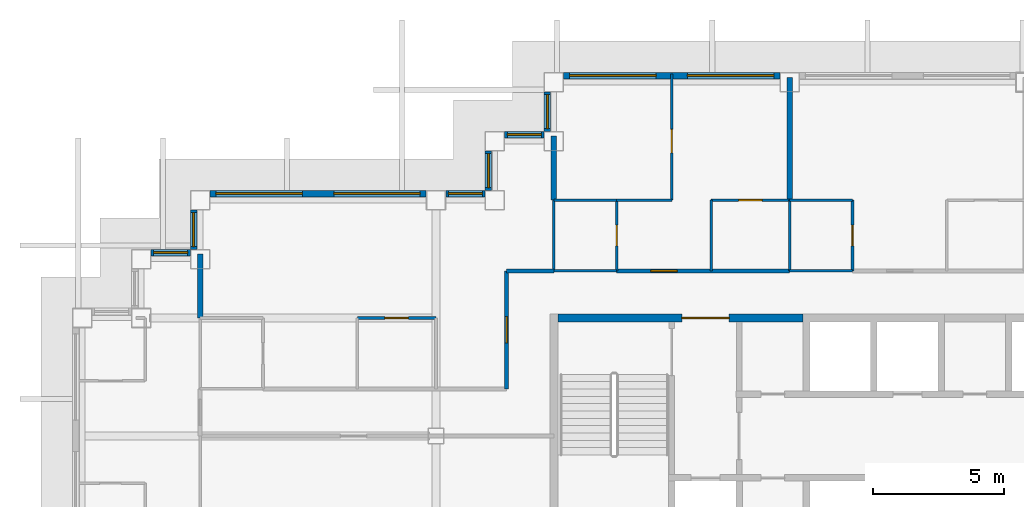
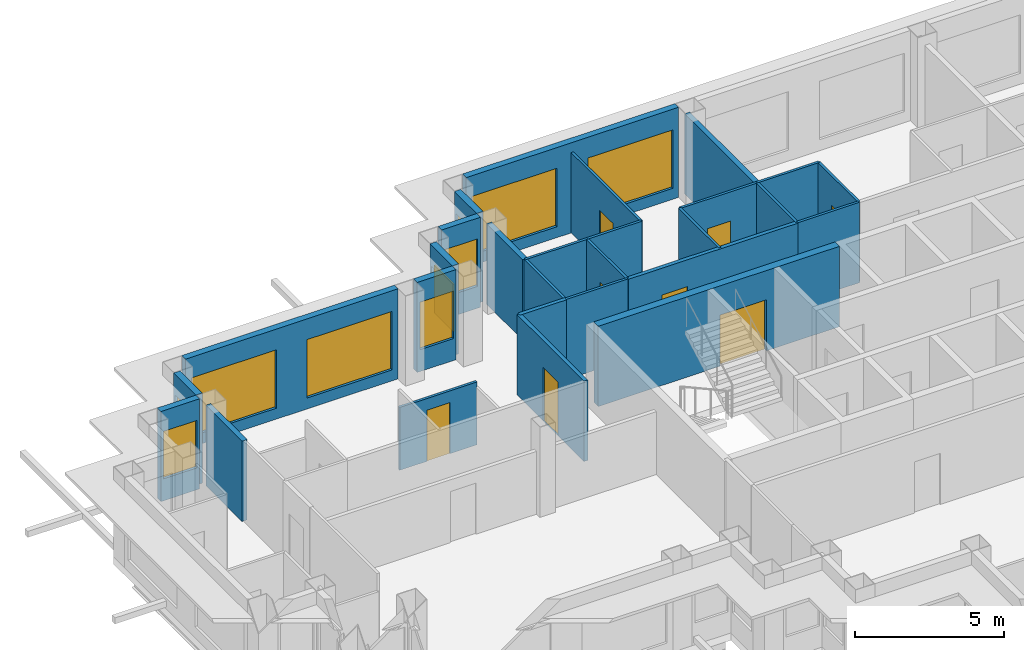
# One storey, part 7 of 14: 28 walls, 10 windows, 8 doors, 18 openings.
"""IFC4 building model written with IfcOpenShell, lengths in metres."""

import ifcopenshell
import ifcopenshell.guid

model = None  # the IFC model being written
_history = None  # IfcOwnerHistory: only IFC2X3 demands one
_inside = {}  # id of a spatial element -> (the spatial element, [elements in it])
_under = {}  # id of a project, library or spatial element -> (it, [spatial elements below it])
_declared = {}  # id of a project -> (the project, [libraries it declares])
_typed = {}  # id of a type object -> (the type object, [elements of that type])
_made_of = {}  # id of a material, layer set ... -> (it, [elements and type objects made of it])


def new_model(schema):
    """Start an empty IFC model of exactly this schema.

    Asked for "IFC4X3", IfcOpenShell would pick the latest addendum, in which some entities
    have other attributes; the version numbers below select the first issue.
    IFC2X3 requires an IfcOwnerHistory on every rooted entity: one is made here for all.
    """
    global model, _history
    if schema == "IFC4X3":
        model = ifcopenshell.file(schema_version=(4, 3, 0, 0))
    else:
        model = ifcopenshell.file(schema=schema)
    _inside.clear()
    _under.clear()
    _declared.clear()
    _typed.clear()
    _made_of.clear()
    _history = None
    if model.schema == "IFC2X3":
        org = make("IfcOrganization", Name="unknown")
        user = make(
            "IfcPersonAndOrganization",
            ThePerson=make("IfcPerson", FamilyName="unknown"),
            TheOrganization=org,
        )
        app = make(
            "IfcApplication",
            ApplicationDeveloper=org,
            Version="unknown",
            ApplicationFullName="unknown",
            ApplicationIdentifier="unknown",
        )
        _history = make(
            "IfcOwnerHistory",
            OwningUser=user,
            OwningApplication=app,
            ChangeAction="ADDED",
            CreationDate=0,
        )
    return model


def make(cls, **values):
    """One entity of the class cls with the attributes given. An attribute that is None is left unset."""
    return model.create_entity(
        cls, **{name: value for name, value in values.items() if value is not None}
    )


def rooted(cls, **values):
    """An entity with a GlobalId (a new one), such as an element, a storey or a relation."""
    return make(cls, GlobalId=ifcopenshell.guid.new(), OwnerHistory=_history, **values)


def si_unit(unit_type, name, prefix=None):
    """IfcSIUnit, for example si_unit("LENGTHUNIT", "METRE", prefix="MILLI")."""
    return make("IfcSIUnit", UnitType=unit_type, Prefix=prefix, Name=name)


def assignment(units):
    """IfcUnitAssignment: the units of a project."""
    return None if units is None else make("IfcUnitAssignment", Units=units)


def point(xyz):
    """IfcCartesianPoint."""
    return None if xyz is None else make("IfcCartesianPoint", Coordinates=xyz)


def direction(xyz):
    """IfcDirection."""
    return None if xyz is None else make("IfcDirection", DirectionRatios=xyz)


def frame(location, z_axis=None, x_axis=None):
    """IfcAxis2Placement3D, a coordinate frame: its origin and axes. An axis left out is left unset."""
    return make(
        "IfcAxis2Placement3D",
        Location=point(location),
        Axis=direction(z_axis),
        RefDirection=direction(x_axis),
    )


def frame_2d(location, x_axis=None):
    """IfcAxis2Placement2D, a coordinate frame in the plane: its origin and x axis."""
    return make(
        "IfcAxis2Placement2D", Location=point(location), RefDirection=direction(x_axis)
    )


def origin():
    """The frame at (0, 0, 0) with its axes left unset."""
    return frame((0.0, 0.0, 0.0))


def place(relative_to, where):
    """IfcLocalPlacement: puts the frame where relative to a parent placement (None: the world)."""
    return make(
        "IfcLocalPlacement", PlacementRelTo=relative_to, RelativePlacement=where
    )


def context(
    kind, dimensions, precision=None, world=None, true_north=None, identifier=None
):
    """IfcGeometricRepresentationContext, for example the 3D "Model" context."""
    return make(
        "IfcGeometricRepresentationContext",
        ContextIdentifier=identifier,
        ContextType=kind,
        CoordinateSpaceDimension=dimensions,
        Precision=precision,
        WorldCoordinateSystem=world,
        TrueNorth=true_north,
    )


def subcontext(parent, identifier, kind, view, scale=None):
    """IfcGeometricRepresentationSubContext, for example "Body" below "Model"."""
    return make(
        "IfcGeometricRepresentationSubContext",
        ContextIdentifier=identifier,
        ContextType=kind,
        ParentContext=parent,
        TargetScale=scale,
        TargetView=view,
    )


def project(units=None, contexts=None):
    """IfcProject with its units and contexts."""
    return rooted(
        "IfcProject",
        Name="project",
        RepresentationContexts=contexts,
        UnitsInContext=assignment(units),
    )


def spatial(cls, under=None, at=None, **own):
    """A site, building, storey or space (cls), placed at a placement, below another one or the project."""
    s = rooted(cls, ObjectPlacement=at, **own)
    if under is not None:
        _under.setdefault(under.id(), (under, []))[1].append(s)
    return s


def profile(cls, at=None, kind="AREA", **sizes):
    """A parametric profile (cls). Its sizes go by their IFC names, for example OverallWidth=200.0."""
    return make(cls, ProfileType=kind, Position=at, **sizes)


def rectangle(**sizes):
    """IfcRectangleProfileDef."""
    return profile("IfcRectangleProfileDef", **sizes)


def extrude(swept, where, along, depth):
    """IfcExtrudedAreaSolid: the profile swept, set in the frame where, extruded along a direction by depth."""
    return make(
        "IfcExtrudedAreaSolid",
        SweptArea=swept,
        Position=where,
        ExtrudedDirection=direction(along),
        Depth=depth,
    )


def shape(context_of_items, identifier, shape_type, items):
    """IfcShapeRepresentation: the items that make up one representation, for example the "Body"."""
    return make(
        "IfcShapeRepresentation",
        ContextOfItems=context_of_items,
        RepresentationIdentifier=identifier,
        RepresentationType=shape_type,
        Items=items,
    )


def material(Name=None, Category=None):
    """IfcMaterial."""
    return make("IfcMaterial", Name=Name, Category=Category)


def layer(
    of_material, thickness, ventilated=None, Name=None, Category=None, Priority=None
):
    """IfcMaterialLayer: one layer of a wall or slab, of a material (None: an air gap)."""
    return make(
        "IfcMaterialLayer",
        Material=of_material,
        LayerThickness=thickness,
        IsVentilated=ventilated,
        Name=Name,
        Category=Category,
        Priority=Priority,
    )


def layer_set(layers, Name=None):
    """IfcMaterialLayerSet."""
    return make("IfcMaterialLayerSet", MaterialLayers=layers, LayerSetName=Name)


def made_of(thing, what):
    """Note that an element or type object is made of a material, layer set ...; save() writes the relation."""
    if what is not None:
        _made_of.setdefault(what.id(), (what, []))[1].append(thing)
    return thing


def type_object(cls, material=None, **own):
    """A type object (cls), such as IfcWallType, which elements share."""
    return made_of(rooted(cls, **own), material)


def element(
    cls,
    number,
    at=None,
    inside=None,
    cuts=None,
    type_object=None,
    material=None,
    context=None,
    identifier="Body",
    shape_type=None,
    held_by="IfcProductDefinitionShape",
    body=None,
    shapes=None,
    **own,
):
    """One element of the class cls, such as IfcWall. Its Tag is "e" and its number.

    at: its placement. inside: the storey or other place that contains it. cuts: it is an
    opening in that element (IfcRelVoidsElement). A single representation is given by context,
    identifier, shape_type and body (its items); several are given by shapes. held_by: the class
    of the entity that holds the representations. save() writes the other relations.
    """
    e = rooted(cls, Tag="e%d" % number, ObjectPlacement=at, **own)
    if body is not None:
        shapes = [shape(context, identifier, shape_type, body)]
    if shapes is not None:
        e.Representation = make(held_by, Representations=shapes)
    if inside is not None:
        _inside.setdefault(inside.id(), (inside, []))[1].append(e)
    if cuts is not None:
        rooted(
            "IfcRelVoidsElement", RelatingBuildingElement=cuts, RelatedOpeningElement=e
        )
    if type_object is not None:
        _typed.setdefault(type_object.id(), (type_object, []))[1].append(e)
    return made_of(e, material)


def fill(opening, filler):
    """IfcRelFillsElement: the door or window that sits in an opening."""
    return rooted(
        "IfcRelFillsElement",
        RelatingOpeningElement=opening,
        RelatedBuildingElement=filler,
    )


def aggregate(whole, parts):
    """IfcRelAggregates: a whole, such as a stair, and the parts it consists of."""
    return rooted("IfcRelAggregates", RelatingObject=whole, RelatedObjects=parts)


def save(model, path):
    """Write the relations noted so far, then the file.

    IfcRelAggregates (storeys below a building ...), IfcRelContainedInSpatialStructure (elements
    in a storey), IfcRelDefinesByType, IfcRelAssociatesMaterial and IfcRelDeclares: one each for
    every whole, place, type object, material and project.
    """
    for whole, parts in _under.values():
        aggregate(whole, parts)
    for where, things in _inside.values():
        rooted(
            "IfcRelContainedInSpatialStructure",
            RelatedElements=things,
            RelatingStructure=where,
        )
    for kind, things in _typed.values():
        rooted("IfcRelDefinesByType", RelatedObjects=things, RelatingType=kind)
    for what, things in _made_of.values():
        rooted("IfcRelAssociatesMaterial", RelatedObjects=things, RelatingMaterial=what)
    for by, libraries in _declared.values():
        rooted("IfcRelDeclares", RelatingContext=by, RelatedDefinitions=libraries)
    model.write(path)


model = new_model("IFC4")

# Units and contexts
model_context = context("Model", 3, precision=1e-05, world=origin(), true_north=direction((0.0, 1.0)))
body_context = subcontext(model_context, "Body", "Model", "MODEL_VIEW")
ifc_project = project(units=[si_unit("LENGTHUNIT", "METRE"), si_unit("AREAUNIT", "SQUARE_METRE"), si_unit("VOLUMEUNIT", "CUBIC_METRE"), si_unit("PLANEANGLEUNIT", "RADIAN"), si_unit("MASSUNIT", "GRAM", prefix="KILO")], contexts=[model_context])

# Site, building, storey
site_placement = place(None, origin())
site = spatial("IfcSite", under=ifc_project, at=site_placement, CompositionType="ELEMENT")
building_placement = place(site_placement, origin())
building = spatial("IfcBuilding", under=site, at=building_placement, Name="Caravel Reach Hotel and Residences", CompositionType="ELEMENT")
storey_placement = place(building_placement, frame((0.0, 0.0, 183.89990234375)))
storey = spatial("IfcBuildingStorey", under=building, at=storey_placement, Name="L46", CompositionType="ELEMENT", Elevation=183.89990234375)

# Walls
ifc_material_1 = material(Name="Gypsum board on steel stud", Category="steel")
ifc_layer_1 = layer(ifc_material_1, 0.10009765625)
ifc_layer_set_1 = layer_set([ifc_layer_1], Name="Bathroom pod wall 100 mm")
wall_type_1 = type_object("IfcWallType", Name="Bathroom pod wall 100 mm", PredefinedType="PARTITIONING", material=ifc_layer_set_1)
for number, where, z_axis, x_axis, name in (
    (1, (18.0, 33.300048828125, 0.0), (0.0, 0.0, 1.0), (1.0, 0.0, 0.0), "L46 wall w077"),
    (2, (27.0, 33.300048828125, 0.0), (0.0, 0.0, 1.0), (1.0, 0.0, 0.0), "L46 wall w078"),
    (3, (18.0, 36.0, 0.0), (0.0, 0.0, 1.0), (1.0, 0.0, 0.0), "L46 wall w080"),
    (4, (27.0, 36.0, 0.0), (0.0, 0.0, 1.0), (1.0, 0.0, 0.0), "L46 wall w081"),
):
    element("IfcWall", number, at=place(storey_placement, frame(where, z_axis=z_axis, x_axis=x_axis)), inside=storey, type_object=wall_type_1, Name=name, PredefinedType="PARTITIONING", context=body_context, shape_type="SweptSolid", body=[
        extrude(rectangle(XDim=2.39990234375, YDim=0.10009765625, at=frame_2d((1.199951171875, 0.0))), origin(), (0.0, 0.0, 1.0), 3.300048828125),
    ])
wall_1_placement = place(storey_placement, frame((18.0, 33.301025390625, 0.0), z_axis=(0.0, 0.0, 1.0), x_axis=(0.0, 1.0, 0.0)))
element("IfcWall", 5, at=wall_1_placement, inside=storey, type_object=wall_type_1, Name="L46 wall w085", PredefinedType="PARTITIONING", context=body_context, shape_type="SweptSolid", body=[
    extrude(rectangle(XDim=2.698974609375, YDim=0.10009765625, at=frame_2d((1.349609375, 0.0))), origin(), (0.0, 0.0, 1.0), 3.300048828125),
])

# Wall, opening, door
wall_2_placement = place(storey_placement, frame((20.39990234375, 33.300048828125, 0.0), z_axis=(0.0, 0.0, 1.0), x_axis=(0.0, 1.0, 0.0)))
wall_2 = element("IfcWall", 6, at=wall_2_placement, inside=storey, type_object=wall_type_1, Name="L46 wall w087", PredefinedType="PARTITIONING", context=body_context, shape_type="SweptSolid", body=[
    extrude(rectangle(XDim=2.699951171875, YDim=0.10009765625, at=frame_2d((1.35009765625, 0.0))), origin(), (0.0, 0.0, 1.0), 3.300048828125),
])
opening_1_placement = place(wall_2_placement, frame((0.949951171875, 0.0, 0.0)))
opening_1 = element("IfcOpeningElement", 7, at=opening_1_placement, cuts=wall_2, Name="Opening D46-017", PredefinedType="OPENING", context=body_context, shape_type="SweptSolid", body=[
    extrude(rectangle(XDim=0.800048828125, YDim=2.10009765625, at=frame_2d((0.39990234375, 1.050048828125))), frame((0.0, 0.06005859375, 0.0), z_axis=(0.0, -1.0, 0.0), x_axis=(1.0, 0.0, 0.0)), (0.0, 0.0, 1.0), 0.1201171875),
])
ifc_material_2 = material(Name="Timber and steel door leaf", Category="steel")
door_type_1 = type_object("IfcDoorType", Name="Bathroom door 800 x 2100", OperationType="SINGLE_SWING_LEFT", PredefinedType="DOOR", material=ifc_material_2)
door_1_placement = place(opening_1_placement, origin())
door_1 = element("IfcDoor", 8, at=door_1_placement, inside=storey, type_object=door_type_1, Name="door D46-017", OperationType="SINGLE_SWING_RIGHT", OverallHeight=2.10009765625, OverallWidth=0.800048828125, PredefinedType="DOOR", context=body_context, shape_type="SweptSolid", body=[
    extrude(rectangle(XDim=0.800048828125, YDim=2.10009765625, at=frame_2d((0.39990234375, 1.050048828125))), frame((0.0, 0.02490234375, 0.0), z_axis=(0.0, -1.0, 0.0), x_axis=(1.0, 0.0, 0.0)), (0.0, 0.0, 1.0), 0.050048828125),
])
fill(opening_1, door_1)

# Wall
wall_3_placement = place(storey_placement, frame((27.0, 33.300048828125, 0.0), z_axis=(0.0, 0.0, 1.0), x_axis=(0.0, 1.0, 0.0)))
element("IfcWall", 9, at=wall_3_placement, inside=storey, type_object=wall_type_1, Name="L46 wall w088", PredefinedType="PARTITIONING", context=body_context, shape_type="SweptSolid", body=[
    extrude(rectangle(XDim=2.699951171875, YDim=0.10009765625, at=frame_2d((1.35009765625, 0.0))), origin(), (0.0, 0.0, 1.0), 3.300048828125),
])

# Wall, opening, door
wall_4_placement = place(storey_placement, frame((29.39990234375, 33.300048828125, 0.0), z_axis=(0.0, 0.0, 1.0), x_axis=(0.0, 1.0, 0.0)))
wall_4 = element("IfcWall", 10, at=wall_4_placement, inside=storey, type_object=wall_type_1, Name="L46 wall w089", PredefinedType="PARTITIONING", context=body_context, shape_type="SweptSolid", body=[
    extrude(rectangle(XDim=2.699951171875, YDim=0.10009765625, at=frame_2d((1.35009765625, 0.0))), origin(), (0.0, 0.0, 1.0), 3.300048828125),
])
opening_2_placement = place(wall_4_placement, frame((0.949951171875, 0.0, 0.0)))
opening_2 = element("IfcOpeningElement", 11, at=opening_2_placement, cuts=wall_4, Name="Opening D46-021", PredefinedType="OPENING", context=body_context, shape_type="SweptSolid", body=[
    extrude(rectangle(XDim=0.800048828125, YDim=2.10009765625, at=frame_2d((0.39990234375, 1.050048828125))), frame((0.0, 0.06005859375, 0.0), z_axis=(0.0, -1.0, 0.0), x_axis=(1.0, 0.0, 0.0)), (0.0, 0.0, 1.0), 0.1201171875),
])
door_2_placement = place(opening_2_placement, origin())
door_2 = element("IfcDoor", 12, at=door_2_placement, inside=storey, type_object=door_type_1, Name="door D46-021", OperationType="SINGLE_SWING_LEFT", OverallHeight=2.10009765625, OverallWidth=0.800048828125, PredefinedType="DOOR", context=body_context, shape_type="SweptSolid", body=[
    extrude(rectangle(XDim=0.800048828125, YDim=2.10009765625, at=frame_2d((0.39990234375, 1.050048828125))), frame((0.0, 0.02490234375, 0.0), z_axis=(0.0, -1.0, 0.0), x_axis=(1.0, 0.0, 0.0)), (0.0, 0.0, 1.0), 0.050048828125),
])
fill(opening_2, door_2)

ifc_material_3 = material(Name="Concrete C60", Category="concrete")
ifc_layer_2 = layer(ifc_material_3, 0.300048828125)
ifc_layer_set_2 = layer_set([ifc_layer_2], Name="Core wall 300 mm EI 120")
wall_type_2 = type_object("IfcWallType", Name="Core wall 300 mm EI 120", PredefinedType="SHEAR", material=ifc_layer_set_2)
wall_5_placement = place(storey_placement, frame((18.14990234375, 31.5, 0.0), z_axis=(0.0, 0.0, 1.0), x_axis=(1.0, 0.0, 0.0)))
wall_5 = element("IfcWall", 13, at=wall_5_placement, inside=storey, type_object=wall_type_2, Name="L46 core wall N1", PredefinedType="SHEAR", context=body_context, shape_type="SweptSolid", body=[
    extrude(rectangle(XDim=9.367919921875, YDim=0.300048828125, at=frame_2d((4.68408203125, 0.0))), origin(), (0.0, 0.0, 1.0), 3.300048828125),
])
opening_3_placement = place(wall_5_placement, frame((4.735595703125, 0.0, 0.0)))
opening_3 = element("IfcOpeningElement", 14, at=opening_3_placement, cuts=wall_5, Name="Opening D46-014", PredefinedType="OPENING", context=body_context, shape_type="SweptSolid", body=[
    extrude(rectangle(XDim=1.800048828125, YDim=2.10009765625, at=frame_2d((0.89990234375, 1.050048828125))), frame((0.0, 0.159912109375, 0.0), z_axis=(0.0, -1.0, 0.0), x_axis=(1.0, 0.0, 0.0)), (0.0, 0.0, 1.0), 0.320068359375),
])
ifc_material_4 = material(Name="Steel fire door leaf", Category="steel")
door_type_2 = type_object("IfcDoorType", Name="Fire lobby door pair 1800 x 2100 EI 90", OperationType="DOUBLE_DOOR_SINGLE_SWING", PredefinedType="DOOR", material=ifc_material_4)
door_3_placement = place(opening_3_placement, origin())
door_3 = element("IfcDoor", 15, at=door_3_placement, inside=storey, type_object=door_type_2, Name="lobby N door pair to corridor", OperationType="DOUBLE_DOOR_SINGLE_SWING", OverallHeight=2.10009765625, OverallWidth=1.800048828125, PredefinedType="DOOR", context=body_context, shape_type="SweptSolid", body=[
    extrude(rectangle(XDim=1.800048828125, YDim=2.10009765625, at=frame_2d((0.89990234375, 1.050048828125))), frame((0.0, 0.02490234375, 0.0), z_axis=(0.0, -1.0, 0.0), x_axis=(1.0, 0.0, 0.0)), (0.0, 0.0, 1.0), 0.050048828125),
])
fill(opening_3, door_3)

ifc_material_5 = material(Name="Gypsum board on steel stud, fire-rated", Category="steel")
ifc_layer_3 = layer(ifc_material_5, 0.14990234375)
ifc_layer_set_3 = layer_set([ifc_layer_3], Name="Corridor wall 150 mm EI 60")
wall_type_3 = type_object("IfcWallType", Name="Corridor wall 150 mm EI 60", PredefinedType="PARTITIONING", material=ifc_layer_set_3)
wall_6_placement = place(storey_placement, frame((20.39990234375, 33.300048828125, 0.0), z_axis=(0.0, 0.0, 1.0), x_axis=(1.0, 0.0, 0.0)))
wall_6 = element("IfcWall", 16, at=wall_6_placement, inside=storey, type_object=wall_type_3, Name="L46 wall w013", PredefinedType="PARTITIONING", context=body_context, shape_type="SweptSolid", body=[
    extrude(rectangle(XDim=6.60009765625, YDim=0.14990234375, at=frame_2d((3.300048828125, 0.0))), origin(), (0.0, 0.0, 1.0), 3.300048828125),
])
opening_4_placement = place(wall_6_placement, frame((1.300048828125, 0.0, 0.0)))
opening_4 = element("IfcOpeningElement", 17, at=opening_4_placement, cuts=wall_6, Name="Opening D46-016", PredefinedType="OPENING", context=body_context, shape_type="SweptSolid", body=[
    extrude(rectangle(XDim=1.0, YDim=2.199951171875, at=frame_2d((0.5, 1.10009765625))), frame((0.0, 0.0849609375, 0.0), z_axis=(0.0, -1.0, 0.0), x_axis=(1.0, 0.0, 0.0)), (0.0, 0.0, 1.0), 0.169921875),
])
ifc_material_6 = material(Name="Steel fire door leaf", Category="steel")
door_type_3 = type_object("IfcDoorType", Name="Flat entrance door 1000 x 2200 EI 60", OperationType="SINGLE_SWING_LEFT", PredefinedType="DOOR", material=ifc_material_6)
door_4_placement = place(opening_4_placement, origin())
door_4 = element("IfcDoor", 18, at=door_4_placement, inside=storey, type_object=door_type_3, Name="door D46-016", OperationType="SINGLE_SWING_LEFT", OverallHeight=2.199951171875, OverallWidth=1.0, PredefinedType="DOOR", context=body_context, shape_type="SweptSolid", body=[
    extrude(rectangle(XDim=1.0, YDim=2.199951171875, at=frame_2d((0.5, 1.10009765625))), frame((0.0, 0.02490234375, 0.0), z_axis=(0.0, -1.0, 0.0), x_axis=(1.0, 0.0, 0.0)), (0.0, 0.0, 1.0), 0.050048828125),
])
fill(opening_4, door_4)

# Wall
wall_7_placement = place(storey_placement, frame((16.199951171875, 33.300048828125, 0.0), z_axis=(0.0, 0.0, 1.0), x_axis=(1.0, 0.0, 0.0)))
element("IfcWall", 19, at=wall_7_placement, inside=storey, type_object=wall_type_3, Name="L46 wall w019", PredefinedType="PARTITIONING", context=body_context, shape_type="SweptSolid", body=[
    extrude(rectangle(XDim=1.799072265625, YDim=0.14990234375, at=frame_2d((0.8994140625, 0.0))), origin(), (0.0, 0.0, 1.0), 3.300048828125),
])

# Wall, opening, door
wall_8_placement = place(storey_placement, frame((16.199951171875, 28.801025390625, 0.0), z_axis=(0.0, 0.0, 1.0), x_axis=(0.0, 1.0, 0.0)))
wall_8 = element("IfcWall", 20, at=wall_8_placement, inside=storey, type_object=wall_type_3, Name="L46 wall w021", PredefinedType="PARTITIONING", context=body_context, shape_type="SweptSolid", body=[
    extrude(rectangle(XDim=4.4990234375, YDim=0.14990234375, at=frame_2d((2.24951171875, 0.0))), origin(), (0.0, 0.0, 1.0), 3.300048828125),
])
opening_5_placement = place(wall_8_placement, frame((1.74951171875, 0.0, 0.0)))
opening_5 = element("IfcOpeningElement", 21, at=opening_5_placement, cuts=wall_8, Name="Opening D46-027", PredefinedType="OPENING", context=body_context, shape_type="SweptSolid", body=[
    extrude(rectangle(XDim=1.0, YDim=2.199951171875, at=frame_2d((0.5, 1.10009765625))), frame((0.0, 0.0849609375, 0.0), z_axis=(0.0, -1.0, 0.0), x_axis=(1.0, 0.0, 0.0)), (0.0, 0.0, 1.0), 0.169921875),
])
door_5_placement = place(opening_5_placement, origin())
door_5 = element("IfcDoor", 22, at=door_5_placement, inside=storey, type_object=door_type_3, Name="door D46-027", OperationType="SINGLE_SWING_LEFT", OverallHeight=2.199951171875, OverallWidth=1.0, PredefinedType="DOOR", context=body_context, shape_type="SweptSolid", body=[
    extrude(rectangle(XDim=1.0, YDim=2.199951171875, at=frame_2d((0.5, 1.10009765625))), frame((0.0, 0.02490234375, 0.0), z_axis=(0.0, -1.0, 0.0), x_axis=(1.0, 0.0, 0.0)), (0.0, 0.0, 1.0), 0.050048828125),
])
fill(opening_5, door_5)

# Wall, openings, windows
ifc_material_7 = material(Name="Insulated rainscreen wall, aluminium cladding", Category="aluminium")
ifc_layer_4 = layer(ifc_material_7, 0.25)
ifc_layer_set_4 = layer_set([ifc_layer_4], Name="EW1 Tower rainscreen wall")
wall_type_4 = type_object("IfcWallType", Name="EW1 Tower rainscreen wall", PredefinedType="SOLIDWALL", material=ifc_layer_set_4)
wall_9_placement = place(storey_placement, frame((26.625, 40.75, 0.0), z_axis=(0.0, 0.0, 1.0), x_axis=(-1.0, 0.0, 0.0)))
wall_9 = element("IfcWall", 23, at=wall_9_placement, inside=storey, type_object=wall_type_4, Name="External wall L46 N29.3", PredefinedType="SOLIDWALL", context=body_context, shape_type="SweptSolid", body=[
    extrude(rectangle(XDim=8.25, YDim=0.25, at=frame_2d((4.125, 0.0))), origin(), (0.0, 0.0, 1.0), 3.7001953125),
])
opening_6_placement = place(wall_9_placement, frame((0.22509765625, 0.0, 0.449951171875)))
opening_6 = element("IfcOpeningElement", 24, at=opening_6_placement, cuts=wall_9, Name="Opening WN18", PredefinedType="OPENING", context=body_context, shape_type="SweptSolid", body=[
    extrude(rectangle(XDim=3.300048828125, YDim=2.39990234375, at=frame_2d((1.64990234375, 1.199951171875))), frame((0.0, 0.135009765625, 0.0), z_axis=(0.0, -1.0, 0.0), x_axis=(1.0, 0.0, 0.0)), (0.0, 0.0, 1.0), 0.27001953125),
])
opening_7_placement = place(wall_9_placement, frame((4.72509765625, 0.0, 0.449951171875)))
opening_7 = element("IfcOpeningElement", 25, at=opening_7_placement, cuts=wall_9, Name="Opening WN18", PredefinedType="OPENING", context=body_context, shape_type="SweptSolid", body=[
    extrude(rectangle(XDim=3.300048828125, YDim=2.39990234375, at=frame_2d((1.64990234375, 1.199951171875))), frame((0.0, 0.135009765625, 0.0), z_axis=(0.0, -1.0, 0.0), x_axis=(1.0, 0.0, 0.0)), (0.0, 0.0, 1.0), 0.27001953125),
])
ifc_material_8 = material(Name="Dark low-e glazing in black aluminium frame", Category="aluminium")
window_type_1 = type_object("IfcWindowType", Name="Residence living window 3300 x 2400", PartitioningType="SINGLE_PANEL", PredefinedType="WINDOW", material=ifc_material_8)
window_1_placement = place(opening_6_placement, origin())
window_1 = element("IfcWindow", 26, at=window_1_placement, inside=storey, type_object=window_type_1, Name="Window L46 N29.3.1", OverallHeight=2.39990234375, OverallWidth=3.300048828125, PartitioningType="SINGLE_PANEL", PredefinedType="WINDOW", context=body_context, shape_type="SweptSolid", body=[
    extrude(rectangle(XDim=3.300048828125, YDim=2.39990234375, at=frame_2d((1.64990234375, 1.199951171875))), frame((0.0, 0.030029296875, 0.0), z_axis=(0.0, -1.0, 0.0), x_axis=(1.0, 0.0, 0.0)), (0.0, 0.0, 1.0), 0.06005859375),
])
fill(opening_6, window_1)
window_2_placement = place(opening_7_placement, origin())
window_2 = element("IfcWindow", 27, at=window_2_placement, inside=storey, type_object=window_type_1, Name="Window L46 N29.3.2", OverallHeight=2.39990234375, OverallWidth=3.300048828125, PartitioningType="SINGLE_PANEL", PredefinedType="WINDOW", context=body_context, shape_type="SweptSolid", body=[
    extrude(rectangle(XDim=3.300048828125, YDim=2.39990234375, at=frame_2d((1.64990234375, 1.199951171875))), frame((0.0, 0.030029296875, 0.0), z_axis=(0.0, -1.0, 0.0), x_axis=(1.0, 0.0, 0.0)), (0.0, 0.0, 1.0), 0.06005859375),
])
fill(opening_7, window_2)

# Wall, opening, window
wall_10_placement = place(storey_placement, frame((17.75, 40.125, 0.0), z_axis=(0.0, 0.0, 1.0), x_axis=(0.0, -1.0, 0.0)))
wall_10 = element("IfcWall", 28, at=wall_10_placement, inside=storey, type_object=wall_type_4, Name="External wall L46 W30.1", PredefinedType="SOLIDWALL", context=body_context, shape_type="SweptSolid", body=[
    extrude(rectangle(XDim=1.5, YDim=0.25, at=frame_2d((0.75, 0.0))), origin(), (0.0, 0.0, 1.0), 3.7001953125),
])
opening_8_placement = place(wall_10_placement, frame((0.10009765625, 0.0, 0.89990234375)))
opening_8 = element("IfcOpeningElement", 29, at=opening_8_placement, cuts=wall_10, Name="Opening WN17", PredefinedType="OPENING", context=body_context, shape_type="SweptSolid", body=[
    extrude(rectangle(XDim=1.300048828125, YDim=1.949951171875, at=frame_2d((0.64990234375, 0.97509765625))), frame((0.0, 0.135009765625, 0.0), z_axis=(0.0, -1.0, 0.0), x_axis=(1.0, 0.0, 0.0)), (0.0, 0.0, 1.0), 0.27001953125),
])
ifc_material_9 = material(Name="Dark low-e glazing in black aluminium frame", Category="aluminium")
window_type_2 = type_object("IfcWindowType", Name="Residence bedroom window 1300 x 1950", PartitioningType="SINGLE_PANEL", PredefinedType="WINDOW", material=ifc_material_9)
window_3_placement = place(opening_8_placement, origin())
window_3 = element("IfcWindow", 30, at=window_3_placement, inside=storey, type_object=window_type_2, Name="Window L46 W30.1.1", OverallHeight=1.949951171875, OverallWidth=1.300048828125, PartitioningType="SINGLE_PANEL", PredefinedType="WINDOW", context=body_context, shape_type="SweptSolid", body=[
    extrude(rectangle(XDim=1.300048828125, YDim=1.949951171875, at=frame_2d((0.64990234375, 0.97509765625))), frame((0.0, 0.030029296875, 0.0), z_axis=(0.0, -1.0, 0.0), x_axis=(1.0, 0.0, 0.0)), (0.0, 0.0, 1.0), 0.06005859375),
])
fill(opening_8, window_3)

wall_11_placement = place(storey_placement, frame((17.625, 38.5, 0.0), z_axis=(0.0, 0.0, 1.0), x_axis=(-1.0, 0.0, 0.0)))
wall_11 = element("IfcWall", 31, at=wall_11_placement, inside=storey, type_object=wall_type_4, Name="External wall L46 N31.1", PredefinedType="SOLIDWALL", context=body_context, shape_type="SweptSolid", body=[
    extrude(rectangle(XDim=1.5, YDim=0.25, at=frame_2d((0.75, 0.0))), origin(), (0.0, 0.0, 1.0), 3.7001953125),
])
opening_9_placement = place(wall_11_placement, frame((0.10009765625, 0.0, 0.89990234375)))
opening_9 = element("IfcOpeningElement", 32, at=opening_9_placement, cuts=wall_11, Name="Opening WN17", PredefinedType="OPENING", context=body_context, shape_type="SweptSolid", body=[
    extrude(rectangle(XDim=1.300048828125, YDim=1.949951171875, at=frame_2d((0.64990234375, 0.97509765625))), frame((0.0, 0.135009765625, 0.0), z_axis=(0.0, -1.0, 0.0), x_axis=(1.0, 0.0, 0.0)), (0.0, 0.0, 1.0), 0.27001953125),
])
window_4_placement = place(opening_9_placement, origin())
window_4 = element("IfcWindow", 33, at=window_4_placement, inside=storey, type_object=window_type_2, Name="Window L46 N31.1.1", OverallHeight=1.949951171875, OverallWidth=1.300048828125, PartitioningType="SINGLE_PANEL", PredefinedType="WINDOW", context=body_context, shape_type="SweptSolid", body=[
    extrude(rectangle(XDim=1.300048828125, YDim=1.949951171875, at=frame_2d((0.64990234375, 0.97509765625))), frame((0.0, 0.030029296875, 0.0), z_axis=(0.0, -1.0, 0.0), x_axis=(1.0, 0.0, 0.0)), (0.0, 0.0, 1.0), 0.06005859375),
])
fill(opening_9, window_4)

wall_12_placement = place(storey_placement, frame((15.5, 37.875, 0.0), z_axis=(0.0, 0.0, 1.0), x_axis=(0.0, -1.0, 0.0)))
wall_12 = element("IfcWall", 34, at=wall_12_placement, inside=storey, type_object=wall_type_4, Name="External wall L46 W32.1", PredefinedType="SOLIDWALL", context=body_context, shape_type="SweptSolid", body=[
    extrude(rectangle(XDim=1.5, YDim=0.25, at=frame_2d((0.75, 0.0))), origin(), (0.0, 0.0, 1.0), 3.7001953125),
])
opening_10_placement = place(wall_12_placement, frame((0.10009765625, 0.0, 0.89990234375)))
opening_10 = element("IfcOpeningElement", 35, at=opening_10_placement, cuts=wall_12, Name="Opening WN17", PredefinedType="OPENING", context=body_context, shape_type="SweptSolid", body=[
    extrude(rectangle(XDim=1.300048828125, YDim=1.949951171875, at=frame_2d((0.64990234375, 0.97509765625))), frame((0.0, 0.135009765625, 0.0), z_axis=(0.0, -1.0, 0.0), x_axis=(1.0, 0.0, 0.0)), (0.0, 0.0, 1.0), 0.27001953125),
])
window_5_placement = place(opening_10_placement, origin())
window_5 = element("IfcWindow", 36, at=window_5_placement, inside=storey, type_object=window_type_2, Name="Window L46 W32.1.1", OverallHeight=1.949951171875, OverallWidth=1.300048828125, PartitioningType="SINGLE_PANEL", PredefinedType="WINDOW", context=body_context, shape_type="SweptSolid", body=[
    extrude(rectangle(XDim=1.300048828125, YDim=1.949951171875, at=frame_2d((0.64990234375, 0.97509765625))), frame((0.0, 0.030029296875, 0.0), z_axis=(0.0, -1.0, 0.0), x_axis=(1.0, 0.0, 0.0)), (0.0, 0.0, 1.0), 0.06005859375),
])
fill(opening_10, window_5)

wall_13_placement = place(storey_placement, frame((15.375, 36.25, 0.0), z_axis=(0.0, 0.0, 1.0), x_axis=(-1.0, 0.0, 0.0)))
wall_13 = element("IfcWall", 37, at=wall_13_placement, inside=storey, type_object=wall_type_4, Name="External wall L46 N33.1", PredefinedType="SOLIDWALL", context=body_context, shape_type="SweptSolid", body=[
    extrude(rectangle(XDim=1.5, YDim=0.25, at=frame_2d((0.75, 0.0))), origin(), (0.0, 0.0, 1.0), 3.7001953125),
])
opening_11_placement = place(wall_13_placement, frame((0.10009765625, 0.0, 0.89990234375)))
opening_11 = element("IfcOpeningElement", 38, at=opening_11_placement, cuts=wall_13, Name="Opening WN17", PredefinedType="OPENING", context=body_context, shape_type="SweptSolid", body=[
    extrude(rectangle(XDim=1.300048828125, YDim=1.949951171875, at=frame_2d((0.64990234375, 0.97509765625))), frame((0.0, 0.135009765625, 0.0), z_axis=(0.0, -1.0, 0.0), x_axis=(1.0, 0.0, 0.0)), (0.0, 0.0, 1.0), 0.27001953125),
])
window_6_placement = place(opening_11_placement, origin())
window_6 = element("IfcWindow", 39, at=window_6_placement, inside=storey, type_object=window_type_2, Name="Window L46 N33.1.1", OverallHeight=1.949951171875, OverallWidth=1.300048828125, PartitioningType="SINGLE_PANEL", PredefinedType="WINDOW", context=body_context, shape_type="SweptSolid", body=[
    extrude(rectangle(XDim=1.300048828125, YDim=1.949951171875, at=frame_2d((0.64990234375, 0.97509765625))), frame((0.0, 0.030029296875, 0.0), z_axis=(0.0, -1.0, 0.0), x_axis=(1.0, 0.0, 0.0)), (0.0, 0.0, 1.0), 0.06005859375),
])
fill(opening_11, window_6)

# Wall, openings, windows
wall_14_placement = place(storey_placement, frame((13.125, 36.25, 0.0), z_axis=(0.0, 0.0, 1.0), x_axis=(-1.0, 0.0, 0.0)))
wall_14 = element("IfcWall", 40, at=wall_14_placement, inside=storey, type_object=wall_type_4, Name="External wall L46 N33.2", PredefinedType="SOLIDWALL", context=body_context, shape_type="SweptSolid", body=[
    extrude(rectangle(XDim=8.25, YDim=0.25, at=frame_2d((4.125, 0.0))), origin(), (0.0, 0.0, 1.0), 3.7001953125),
])
opening_12_placement = place(wall_14_placement, frame((0.22509765625, 0.0, 0.449951171875)))
opening_12 = element("IfcOpeningElement", 41, at=opening_12_placement, cuts=wall_14, Name="Opening WN18", PredefinedType="OPENING", context=body_context, shape_type="SweptSolid", body=[
    extrude(rectangle(XDim=3.300048828125, YDim=2.39990234375, at=frame_2d((1.64990234375, 1.199951171875))), frame((0.0, 0.135009765625, 0.0), z_axis=(0.0, -1.0, 0.0), x_axis=(1.0, 0.0, 0.0)), (0.0, 0.0, 1.0), 0.27001953125),
])
opening_13_placement = place(wall_14_placement, frame((4.72509765625, 0.0, 0.449951171875)))
opening_13 = element("IfcOpeningElement", 42, at=opening_13_placement, cuts=wall_14, Name="Opening WN18", PredefinedType="OPENING", context=body_context, shape_type="SweptSolid", body=[
    extrude(rectangle(XDim=3.300048828125, YDim=2.39990234375, at=frame_2d((1.64990234375, 1.199951171875))), frame((0.0, 0.135009765625, 0.0), z_axis=(0.0, -1.0, 0.0), x_axis=(1.0, 0.0, 0.0)), (0.0, 0.0, 1.0), 0.27001953125),
])
window_7_placement = place(opening_12_placement, origin())
window_7 = element("IfcWindow", 43, at=window_7_placement, inside=storey, type_object=window_type_1, Name="Window L46 N33.2.1", OverallHeight=2.39990234375, OverallWidth=3.300048828125, PartitioningType="SINGLE_PANEL", PredefinedType="WINDOW", context=body_context, shape_type="SweptSolid", body=[
    extrude(rectangle(XDim=3.300048828125, YDim=2.39990234375, at=frame_2d((1.64990234375, 1.199951171875))), frame((0.0, 0.030029296875, 0.0), z_axis=(0.0, -1.0, 0.0), x_axis=(1.0, 0.0, 0.0)), (0.0, 0.0, 1.0), 0.06005859375),
])
fill(opening_12, window_7)
window_8_placement = place(opening_13_placement, origin())
window_8 = element("IfcWindow", 44, at=window_8_placement, inside=storey, type_object=window_type_1, Name="Window L46 N33.2.2", OverallHeight=2.39990234375, OverallWidth=3.300048828125, PartitioningType="SINGLE_PANEL", PredefinedType="WINDOW", context=body_context, shape_type="SweptSolid", body=[
    extrude(rectangle(XDim=3.300048828125, YDim=2.39990234375, at=frame_2d((1.64990234375, 1.199951171875))), frame((0.0, 0.030029296875, 0.0), z_axis=(0.0, -1.0, 0.0), x_axis=(1.0, 0.0, 0.0)), (0.0, 0.0, 1.0), 0.06005859375),
])
fill(opening_13, window_8)

# Wall, opening, window
wall_15_placement = place(storey_placement, frame((4.25, 35.625, 0.0), z_axis=(0.0, 0.0, 1.0), x_axis=(0.0, -1.0, 0.0)))
wall_15 = element("IfcWall", 45, at=wall_15_placement, inside=storey, type_object=wall_type_4, Name="External wall L46 W34.1", PredefinedType="SOLIDWALL", context=body_context, shape_type="SweptSolid", body=[
    extrude(rectangle(XDim=1.5, YDim=0.25, at=frame_2d((0.75, 0.0))), origin(), (0.0, 0.0, 1.0), 3.7001953125),
])
opening_14_placement = place(wall_15_placement, frame((0.10009765625, 0.0, 0.89990234375)))
opening_14 = element("IfcOpeningElement", 46, at=opening_14_placement, cuts=wall_15, Name="Opening WN17", PredefinedType="OPENING", context=body_context, shape_type="SweptSolid", body=[
    extrude(rectangle(XDim=1.300048828125, YDim=1.949951171875, at=frame_2d((0.64990234375, 0.97509765625))), frame((0.0, 0.135009765625, 0.0), z_axis=(0.0, -1.0, 0.0), x_axis=(1.0, 0.0, 0.0)), (0.0, 0.0, 1.0), 0.27001953125),
])
window_9_placement = place(opening_14_placement, origin())
window_9 = element("IfcWindow", 47, at=window_9_placement, inside=storey, type_object=window_type_2, Name="Window L46 W34.1.1", OverallHeight=1.949951171875, OverallWidth=1.300048828125, PartitioningType="SINGLE_PANEL", PredefinedType="WINDOW", context=body_context, shape_type="SweptSolid", body=[
    extrude(rectangle(XDim=1.300048828125, YDim=1.949951171875, at=frame_2d((0.64990234375, 0.97509765625))), frame((0.0, 0.030029296875, 0.0), z_axis=(0.0, -1.0, 0.0), x_axis=(1.0, 0.0, 0.0)), (0.0, 0.0, 1.0), 0.06005859375),
])
fill(opening_14, window_9)

wall_16_placement = place(storey_placement, frame((4.125, 34.0, 0.0), z_axis=(0.0, 0.0, 1.0), x_axis=(-1.0, 0.0, 0.0)))
wall_16 = element("IfcWall", 48, at=wall_16_placement, inside=storey, type_object=wall_type_4, Name="External wall L46 N35.1", PredefinedType="SOLIDWALL", context=body_context, shape_type="SweptSolid", body=[
    extrude(rectangle(XDim=1.5, YDim=0.25, at=frame_2d((0.75, 0.0))), origin(), (0.0, 0.0, 1.0), 3.7001953125),
])
opening_15_placement = place(wall_16_placement, frame((0.10009765625, 0.0, 0.89990234375)))
opening_15 = element("IfcOpeningElement", 49, at=opening_15_placement, cuts=wall_16, Name="Opening WN17", PredefinedType="OPENING", context=body_context, shape_type="SweptSolid", body=[
    extrude(rectangle(XDim=1.300048828125, YDim=1.949951171875, at=frame_2d((0.64990234375, 0.97509765625))), frame((0.0, 0.135009765625, 0.0), z_axis=(0.0, -1.0, 0.0), x_axis=(1.0, 0.0, 0.0)), (0.0, 0.0, 1.0), 0.27001953125),
])
window_10_placement = place(opening_15_placement, origin())
window_10 = element("IfcWindow", 50, at=window_10_placement, inside=storey, type_object=window_type_2, Name="Window L46 N35.1.1", OverallHeight=1.949951171875, OverallWidth=1.300048828125, PartitioningType="SINGLE_PANEL", PredefinedType="WINDOW", context=body_context, shape_type="SweptSolid", body=[
    extrude(rectangle(XDim=1.300048828125, YDim=1.949951171875, at=frame_2d((0.64990234375, 0.97509765625))), frame((0.0, 0.030029296875, 0.0), z_axis=(0.0, -1.0, 0.0), x_axis=(1.0, 0.0, 0.0)), (0.0, 0.0, 1.0), 0.06005859375),
])
fill(opening_15, window_10)

# Wall, opening, door
ifc_material_10 = material(Name="Gypsum board on steel stud", Category="steel")
ifc_layer_5 = layer(ifc_material_10, 0.10009765625)
ifc_layer_set_5 = layer_set([ifc_layer_5], Name="Partition 100 mm")
wall_type_5 = type_object("IfcWallType", Name="Partition 100 mm", PredefinedType="PARTITIONING", material=ifc_layer_set_5)
wall_17_placement = place(storey_placement, frame((10.5, 31.5, 0.0), z_axis=(0.0, 0.0, 1.0), x_axis=(1.0, 0.0, 0.0)))
wall_17 = element("IfcWall", 51, at=wall_17_placement, inside=storey, type_object=wall_type_5, Name="L46 wall w041", PredefinedType="PARTITIONING", context=body_context, shape_type="SweptSolid", body=[
    extrude(rectangle(XDim=3.0, YDim=0.10009765625, at=frame_2d((1.5, 0.0))), origin(), (0.0, 0.0, 1.0), 2.580078125),
])
opening_16_placement = place(wall_17_placement, frame((1.050048828125, 0.0, 0.0)))
opening_16 = element("IfcOpeningElement", 52, at=opening_16_placement, cuts=wall_17, Name="Opening D46-029", PredefinedType="OPENING", context=body_context, shape_type="SweptSolid", body=[
    extrude(rectangle(XDim=0.89990234375, YDim=2.10009765625, at=frame_2d((0.449951171875, 1.050048828125))), frame((0.0, 0.06005859375, 0.0), z_axis=(0.0, -1.0, 0.0), x_axis=(1.0, 0.0, 0.0)), (0.0, 0.0, 1.0), 0.1201171875),
])
ifc_material_11 = material(Name="Timber and steel door leaf", Category="steel")
door_type_4 = type_object("IfcDoorType", Name="Door 900 x 2100 timber", OperationType="SINGLE_SWING_LEFT", PredefinedType="DOOR", material=ifc_material_11)
door_6_placement = place(opening_16_placement, origin())
door_6 = element("IfcDoor", 53, at=door_6_placement, inside=storey, type_object=door_type_4, Name="door D46-029", OperationType="SINGLE_SWING_RIGHT", OverallHeight=2.10009765625, OverallWidth=0.89990234375, PredefinedType="DOOR", context=body_context, shape_type="SweptSolid", body=[
    extrude(rectangle(XDim=0.89990234375, YDim=2.10009765625, at=frame_2d((0.449951171875, 1.050048828125))), frame((0.0, 0.02490234375, 0.0), z_axis=(0.0, -1.0, 0.0), x_axis=(1.0, 0.0, 0.0)), (0.0, 0.0, 1.0), 0.050048828125),
])
fill(opening_16, door_6)

# Wall
wall_18_placement = place(storey_placement, frame((20.39990234375, 36.0, 0.0), z_axis=(0.0, 0.0, 1.0), x_axis=(1.0, 0.0, 0.0)))
element("IfcWall", 54, at=wall_18_placement, inside=storey, type_object=wall_type_5, Name="L46 wall w043", PredefinedType="PARTITIONING", context=body_context, shape_type="SweptSolid", body=[
    extrude(rectangle(XDim=2.10009765625, YDim=0.10009765625, at=frame_2d((1.050048828125, 0.0))), origin(), (0.0, 0.0, 1.0), 3.300048828125),
])

# Wall, opening, door
wall_19_placement = place(storey_placement, frame((24.0, 36.0, 0.0), z_axis=(0.0, 0.0, 1.0), x_axis=(1.0, 0.0, 0.0)))
wall_19 = element("IfcWall", 55, at=wall_19_placement, inside=storey, type_object=wall_type_5, Name="L46 wall w044", PredefinedType="PARTITIONING", context=body_context, shape_type="SweptSolid", body=[
    extrude(rectangle(XDim=3.0, YDim=0.10009765625, at=frame_2d((1.5, 0.0))), origin(), (0.0, 0.0, 1.0), 3.300048828125),
])
opening_17_placement = place(wall_19_placement, frame((1.050048828125, 0.0, 0.0)))
opening_17 = element("IfcOpeningElement", 56, at=opening_17_placement, cuts=wall_19, Name="Opening D46-018", PredefinedType="OPENING", context=body_context, shape_type="SweptSolid", body=[
    extrude(rectangle(XDim=0.89990234375, YDim=2.10009765625, at=frame_2d((0.449951171875, 1.050048828125))), frame((0.0, 0.06005859375, 0.0), z_axis=(0.0, -1.0, 0.0), x_axis=(1.0, 0.0, 0.0)), (0.0, 0.0, 1.0), 0.1201171875),
])
door_7_placement = place(opening_17_placement, origin())
door_7 = element("IfcDoor", 57, at=door_7_placement, inside=storey, type_object=door_type_4, Name="door D46-018", OperationType="SINGLE_SWING_RIGHT", OverallHeight=2.10009765625, OverallWidth=0.89990234375, PredefinedType="DOOR", context=body_context, shape_type="SweptSolid", body=[
    extrude(rectangle(XDim=0.89990234375, YDim=2.10009765625, at=frame_2d((0.449951171875, 1.050048828125))), frame((0.0, 0.02490234375, 0.0), z_axis=(0.0, -1.0, 0.0), x_axis=(1.0, 0.0, 0.0)), (0.0, 0.0, 1.0), 0.050048828125),
])
fill(opening_17, door_7)

wall_20_placement = place(storey_placement, frame((22.5, 36.0, 0.0), z_axis=(0.0, 0.0, 1.0), x_axis=(0.0, 1.0, 0.0)))
wall_20 = element("IfcWall", 58, at=wall_20_placement, inside=storey, type_object=wall_type_5, Name="L46 wall w055", PredefinedType="PARTITIONING", context=body_context, shape_type="SweptSolid", body=[
    extrude(rectangle(XDim=4.81494140625, YDim=0.10009765625, at=frame_2d((2.407470703125, 0.0))), origin(), (0.0, 0.0, 1.0), 3.300048828125),
])
opening_18_placement = place(wall_20_placement, frame((1.800048828125, 0.0, 0.0)))
opening_18 = element("IfcOpeningElement", 59, at=opening_18_placement, cuts=wall_20, Name="Opening D46-019", PredefinedType="OPENING", context=body_context, shape_type="SweptSolid", body=[
    extrude(rectangle(XDim=0.89990234375, YDim=2.10009765625, at=frame_2d((0.449951171875, 1.050048828125))), frame((0.0, 0.06005859375, 0.0), z_axis=(0.0, -1.0, 0.0), x_axis=(1.0, 0.0, 0.0)), (0.0, 0.0, 1.0), 0.1201171875),
])
door_8_placement = place(opening_18_placement, origin())
door_8 = element("IfcDoor", 60, at=door_8_placement, inside=storey, type_object=door_type_4, Name="door D46-019", OperationType="SINGLE_SWING_RIGHT", OverallHeight=2.10009765625, OverallWidth=0.89990234375, PredefinedType="DOOR", context=body_context, shape_type="SweptSolid", body=[
    extrude(rectangle(XDim=0.89990234375, YDim=2.10009765625, at=frame_2d((0.449951171875, 1.050048828125))), frame((0.0, 0.02490234375, 0.0), z_axis=(0.0, -1.0, 0.0), x_axis=(1.0, 0.0, 0.0)), (0.0, 0.0, 1.0), 0.050048828125),
])
fill(opening_18, door_8)

# Walls
wall_21_placement = place(storey_placement, frame((24.0, 33.300048828125, 0.0), z_axis=(0.0, 0.0, 1.0), x_axis=(0.0, 1.0, 0.0)))
element("IfcWall", 61, at=wall_21_placement, inside=storey, type_object=wall_type_5, Name="L46 wall w056", PredefinedType="PARTITIONING", context=body_context, shape_type="SweptSolid", body=[
    extrude(rectangle(XDim=2.699951171875, YDim=0.10009765625, at=frame_2d((1.35009765625, 0.0))), origin(), (0.0, 0.0, 1.0), 3.300048828125),
])
ifc_material_12 = material(Name="Autoclaved aerated block wall")
ifc_layer_6 = layer(ifc_material_12, 0.199951171875)
ifc_layer_set_6 = layer_set([ifc_layer_6], Name="Party wall 200 mm EI 60")
wall_type_6 = type_object("IfcWallType", Name="Party wall 200 mm EI 60", PredefinedType="PARTITIONING", material=ifc_layer_set_6)
wall_22_placement = place(storey_placement, frame((18.0, 36.0, 0.0), z_axis=(0.0, 0.0, 1.0), x_axis=(0.0, 1.0, 0.0)))
element("IfcWall", 62, at=wall_22_placement, inside=storey, type_object=wall_type_6, Name="L46 wall w067", PredefinedType="PARTITIONING", context=body_context, shape_type="SweptSolid", body=[
    extrude(rectangle(XDim=2.43994140625, YDim=0.199951171875, at=frame_2d((1.219970703125, 0.0))), origin(), (0.0, 0.0, 1.0), 3.300048828125),
])
wall_23_placement = place(storey_placement, frame((27.0, 36.0, 0.0), z_axis=(0.0, 0.0, 1.0), x_axis=(0.0, 1.0, 0.0)))
element("IfcWall", 63, at=wall_23_placement, inside=storey, type_object=wall_type_6, Name="L46 wall w068", PredefinedType="PARTITIONING", context=body_context, shape_type="SweptSolid", body=[
    extrude(rectangle(XDim=4.68994140625, YDim=0.199951171875, at=frame_2d((2.344970703125, 0.0))), origin(), (0.0, 0.0, 1.0), 3.300048828125),
])
wall_24_placement = place(storey_placement, frame((4.5, 31.5009765625, 0.0), z_axis=(0.0, 0.0, 1.0), x_axis=(0.0, 1.0, 0.0)))
element("IfcWall", 64, at=wall_24_placement, inside=storey, type_object=wall_type_6, Name="L46 wall w071", PredefinedType="PARTITIONING", context=body_context, shape_type="SweptSolid", body=[
    extrude(rectangle(XDim=2.43896484375, YDim=0.199951171875, at=frame_2d((1.219482421875, 0.0))), origin(), (0.0, 0.0, 1.0), 3.300048828125),
])

save(model, "model.ifc")
